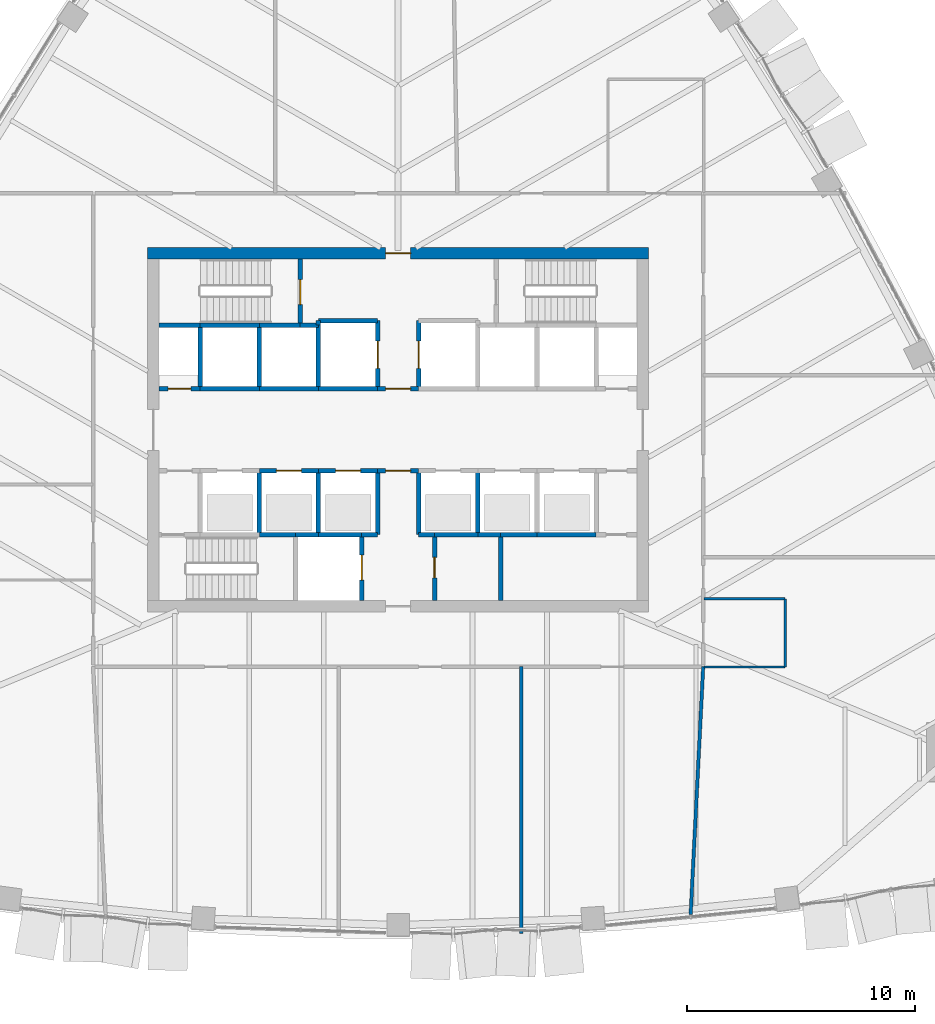
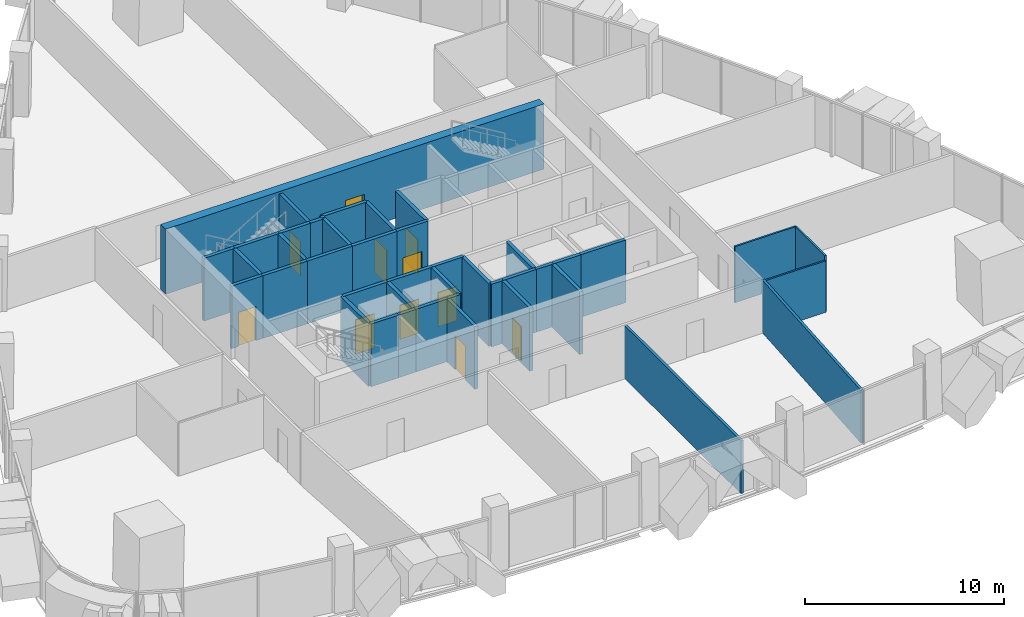
# One storey, part 11 of 17: 43 walls, 11 doors, 11 openings.
"""IFC4 building model written with IfcOpenShell, lengths in metres."""

from ifc_helpers import new_model, si_unit, direction, frame, frame_2d, origin, place, context, subcontext, project, spatial, rectangle, extrude, material, layer, layer_set, type_object, element, fill, save


model = new_model("IFC4")

# Units and contexts
model_context = context("Model", 3, precision=1e-05, world=origin(), true_north=direction((0.0, 1.0)))
body_context = subcontext(model_context, "Body", "Model", "MODEL_VIEW")
ifc_project = project(units=[si_unit("LENGTHUNIT", "METRE"), si_unit("AREAUNIT", "SQUARE_METRE"), si_unit("VOLUMEUNIT", "CUBIC_METRE"), si_unit("PLANEANGLEUNIT", "RADIAN"), si_unit("MASSUNIT", "GRAM", prefix="KILO")], contexts=[model_context])

# Site, building, storey
site_placement = place(None, origin())
site = spatial("IfcSite", under=ifc_project, at=site_placement, CompositionType="ELEMENT")
building_placement = place(site_placement, origin())
building = spatial("IfcBuilding", under=site, at=building_placement, Name="Sierra Prisma Convention Tower", CompositionType="ELEMENT")
storey_placement = place(building_placement, frame((0.0, 0.0, 145.800048828125)))
storey = spatial("IfcBuildingStorey", under=building, at=storey_placement, Name="L31", CompositionType="ELEMENT", Elevation=145.800048828125)

# Walls
ifc_material_1 = material(Name="Gypsum board partition", Category="gypsum")
ifc_layer_1 = layer(ifc_material_1, 0.10009765625)
ifc_layer_set_1 = layer_set([ifc_layer_1], Name="Bathroom partition 100")
wall_type_1 = type_object("IfcWallType", Name="Bathroom partition 100", PredefinedType="PARTITIONING", material=ifc_layer_set_1)
wall_1_placement = place(storey_placement, frame((13.429931640625, -7.419921875, 0.0), z_axis=(0.0, 0.0, 1.0), x_axis=(1.0, 0.0, 0.0)))
element("IfcWall", 1, at=wall_1_placement, inside=storey, type_object=wall_type_1, Name="Partition L31 bath 6", PredefinedType="PARTITIONING", context=body_context, shape_type="SweptSolid", body=[
    extrude(rectangle(XDim=3.570068359375, YDim=0.10009765625, at=frame_2d((1.78515625, 0.0))), origin(), (0.0, 0.0, 1.0), 3.449951171875),
])
wall_2_placement = place(storey_placement, frame((17.0, -7.419921875, 0.0), z_axis=(0.0, 0.0, 1.0), x_axis=(0.0, -1.0, 0.0)))
element("IfcWall", 2, at=wall_2_placement, inside=storey, type_object=wall_type_1, Name="Partition L31 bath 7", PredefinedType="PARTITIONING", context=body_context, shape_type="SweptSolid", body=[
    extrude(rectangle(XDim=3.0, YDim=0.10009765625, at=frame_2d((1.5, 0.0))), origin(), (0.0, 0.0, 1.0), 3.449951171875),
])
wall_3_placement = place(storey_placement, frame((17.0, -10.419921875, 0.0), z_axis=(0.0, 0.0, 1.0), x_axis=(-1.0, 0.0, 0.0)))
element("IfcWall", 3, at=wall_3_placement, inside=storey, type_object=wall_type_1, Name="Partition L31 bath 8", PredefinedType="PARTITIONING", context=body_context, shape_type="SweptSolid", body=[
    extrude(rectangle(XDim=3.570068359375, YDim=0.10009765625, at=frame_2d((1.78515625, 0.0))), origin(), (0.0, 0.0, 1.0), 3.166015625),
])

# Wall, opening, door
ifc_material_2 = material(Name="Concrete C30/37", Category="concrete")
ifc_layer_2 = layer(ifc_material_2, 0.199951171875)
ifc_layer_set_2 = layer_set([ifc_layer_2], Name="Core wall RC 200 C30/37")
wall_type_2 = type_object("IfcWallType", Name="Core wall RC 200 C30/37", PredefinedType="SOLIDWALL", material=ifc_layer_set_2)
wall_4_placement = place(storey_placement, frame((-8.699951171875, 1.800048828125, 0.0), z_axis=(0.0, 0.0, 1.0), x_axis=(-1.0, 0.0, 0.0)))
wall_4 = element("IfcWall", 4, at=wall_4_placement, inside=storey, type_object=wall_type_2, Name="Core wall L31 3", PredefinedType="SOLIDWALL", context=body_context, shape_type="SweptSolid", body=[
    extrude(rectangle(XDim=1.800048828125, YDim=0.199951171875, at=frame_2d((0.89990234375, 0.0))), origin(), (0.0, 0.0, 1.0), 3.849853515625),
])
opening_1_placement = place(wall_4_placement, frame((0.39990234375, 0.0, 0.0)))
opening_1 = element("IfcOpeningElement", 5, at=opening_1_placement, cuts=wall_4, Name="Opening L31-D013", PredefinedType="OPENING", context=body_context, shape_type="SweptSolid", body=[
    extrude(rectangle(XDim=1.0, YDim=2.10009765625, at=frame_2d((0.5, 1.050048828125))), frame((0.0, 0.10009765625, 0.0), z_axis=(0.0, -1.0, 0.0), x_axis=(1.0, 0.0, 0.0)), (0.0, 0.0, 1.0), 0.199951171875),
])
ifc_material_3 = material(Name="Steel fire door leaf", Category="steel")
door_type_1 = type_object("IfcDoorType", Name="Door 1000x2100 FD60S", OperationType="SINGLE_SWING_LEFT", PredefinedType="DOOR", material=ifc_material_3)
door_1_placement = place(opening_1_placement, origin())
door_1 = element("IfcDoor", 6, at=door_1_placement, inside=storey, type_object=door_type_1, Name="Door L31 27", OperationType="SINGLE_SWING_RIGHT", OverallHeight=2.10009765625, OverallWidth=1.0, PredefinedType="DOOR", context=body_context, shape_type="SweptSolid", body=[
    extrude(rectangle(XDim=1.0, YDim=2.10009765625, at=frame_2d((0.5, 1.050048828125))), frame((0.0, 0.02490234375, 0.0), z_axis=(0.0, -1.0, 0.0), x_axis=(1.0, 0.0, 0.0)), (0.0, 0.0, 1.0), 0.050048828125),
])
fill(opening_1, door_1)

# Walls
wall_5_placement = place(storey_placement, frame((-8.699951171875, 4.60009765625, 0.0), z_axis=(0.0, 0.0, 1.0), x_axis=(-1.0, 0.0, 0.0)))
element("IfcWall", 7, at=wall_5_placement, inside=storey, type_object=wall_type_2, Name="Core wall L31 4", PredefinedType="SOLIDWALL", context=body_context, shape_type="SweptSolid", body=[
    extrude(rectangle(XDim=1.800048828125, YDim=0.199951171875, at=frame_2d((0.89990234375, 0.0))), origin(), (0.0, 0.0, 1.0), 3.849853515625),
])
wall_6_placement = place(storey_placement, frame((-6.10009765625, 1.800048828125, 0.0), z_axis=(0.0, 0.0, 1.0), x_axis=(-1.0, 0.0, 0.0)))
element("IfcWall", 8, at=wall_6_placement, inside=storey, type_object=wall_type_2, Name="Core wall L31 8", PredefinedType="SOLIDWALL", context=body_context, shape_type="SweptSolid", body=[
    extrude(rectangle(XDim=2.599853515625, YDim=0.199951171875, at=frame_2d((1.2998046875, 0.0))), origin(), (0.0, 0.0, 1.0), 3.849853515625),
])
wall_7_placement = place(storey_placement, frame((-8.699951171875, 1.800048828125, 0.0), z_axis=(0.0, 0.0, 1.0), x_axis=(0.0, 1.0, 0.0)))
element("IfcWall", 9, at=wall_7_placement, inside=storey, type_object=wall_type_2, Name="Core wall L31 9", PredefinedType="SOLIDWALL", context=body_context, shape_type="SweptSolid", body=[
    extrude(rectangle(XDim=2.800048828125, YDim=0.199951171875, at=frame_2d((1.39990234375, 0.0))), origin(), (0.0, 0.0, 1.0), 3.849853515625),
])
wall_8_placement = place(storey_placement, frame((-6.10009765625, 4.60009765625, 0.0), z_axis=(0.0, 0.0, 1.0), x_axis=(-1.0, 0.0, 0.0)))
element("IfcWall", 10, at=wall_8_placement, inside=storey, type_object=wall_type_2, Name="Core wall L31 10", PredefinedType="SOLIDWALL", context=body_context, shape_type="SweptSolid", body=[
    extrude(rectangle(XDim=2.599853515625, YDim=0.199951171875, at=frame_2d((1.2998046875, 0.0))), origin(), (0.0, 0.0, 1.0), 3.849853515625),
])
wall_9_placement = place(storey_placement, frame((-6.10009765625, -4.60009765625, 0.0), z_axis=(0.0, 0.0, 1.0), x_axis=(1.0, 0.0, 0.0)))
element("IfcWall", 11, at=wall_9_placement, inside=storey, type_object=wall_type_2, Name="Core wall L31 11", PredefinedType="SOLIDWALL", context=body_context, shape_type="SweptSolid", body=[
    extrude(rectangle(XDim=1.60009765625, YDim=0.199951171875, at=frame_2d((0.800048828125, 0.0))), origin(), (0.0, 0.0, 1.0), 3.849853515625),
])
wall_10_placement = place(storey_placement, frame((-6.10009765625, -4.60009765625, 0.0), z_axis=(0.0, 0.0, 1.0), x_axis=(0.0, 1.0, 0.0)))
element("IfcWall", 12, at=wall_10_placement, inside=storey, type_object=wall_type_2, Name="Core wall L31 12", PredefinedType="SOLIDWALL", context=body_context, shape_type="SweptSolid", body=[
    extrude(rectangle(XDim=2.800048828125, YDim=0.199951171875, at=frame_2d((1.39990234375, 0.0))), origin(), (0.0, 0.0, 1.0), 3.849853515625),
])

# Wall, opening, door
wall_11_placement = place(storey_placement, frame((-6.10009765625, -1.800048828125, 0.0), z_axis=(0.0, 0.0, 1.0), x_axis=(1.0, 0.0, 0.0)))
wall_11 = element("IfcWall", 13, at=wall_11_placement, inside=storey, type_object=wall_type_2, Name="Core wall L31 13", PredefinedType="SOLIDWALL", context=body_context, shape_type="SweptSolid", body=[
    extrude(rectangle(XDim=2.60009765625, YDim=0.199951171875, at=frame_2d((1.300048828125, 0.0))), origin(), (0.0, 0.0, 1.0), 3.849853515625),
])
opening_2_placement = place(wall_11_placement, frame((0.75, 0.0, 0.0)))
opening_2 = element("IfcOpeningElement", 14, at=opening_2_placement, cuts=wall_11, Name="Opening L31-D002", PredefinedType="OPENING", context=body_context, shape_type="SweptSolid", body=[
    extrude(rectangle(XDim=1.10009765625, YDim=2.10009765625, at=frame_2d((0.550048828125, 1.050048828125))), frame((0.0, 0.10009765625, 0.0), z_axis=(0.0, -1.0, 0.0), x_axis=(1.0, 0.0, 0.0)), (0.0, 0.0, 1.0), 0.199951171875),
])
ifc_material_4 = material(Name="Steel fire door leaf", Category="steel")
door_type_2 = type_object("IfcDoorType", Name="Door 1100x2100 EI 90 sliding lift landing", OperationType="SLIDING_TO_LEFT", PredefinedType="DOOR", material=ifc_material_4)
door_2_placement = place(opening_2_placement, origin())
door_2 = element("IfcDoor", 15, at=door_2_placement, inside=storey, type_object=door_type_2, Name="Door L31 16", OperationType="SLIDING_TO_LEFT", OverallHeight=2.10009765625, OverallWidth=1.10009765625, PredefinedType="DOOR", context=body_context, shape_type="SweptSolid", body=[
    extrude(rectangle(XDim=1.10009765625, YDim=2.10009765625, at=frame_2d((0.550048828125, 1.050048828125))), frame((0.0, 0.02490234375, 0.0), z_axis=(0.0, -1.0, 0.0), x_axis=(1.0, 0.0, 0.0)), (0.0, 0.0, 1.0), 0.050048828125),
])
fill(opening_2, door_2)

# Walls
wall_12_placement = place(storey_placement, frame((-3.5, 1.800048828125, 0.0), z_axis=(0.0, 0.0, 1.0), x_axis=(-1.0, 0.0, 0.0)))
element("IfcWall", 16, at=wall_12_placement, inside=storey, type_object=wall_type_2, Name="Core wall L31 14", PredefinedType="SOLIDWALL", context=body_context, shape_type="SweptSolid", body=[
    extrude(rectangle(XDim=2.60009765625, YDim=0.199951171875, at=frame_2d((1.300048828125, 0.0))), origin(), (0.0, 0.0, 1.0), 3.849853515625),
])
wall_13_placement = place(storey_placement, frame((-6.10009765625, 1.800048828125, 0.0), z_axis=(0.0, 0.0, 1.0), x_axis=(0.0, 1.0, 0.0)))
element("IfcWall", 17, at=wall_13_placement, inside=storey, type_object=wall_type_2, Name="Core wall L31 15", PredefinedType="SOLIDWALL", context=body_context, shape_type="SweptSolid", body=[
    extrude(rectangle(XDim=2.800048828125, YDim=0.199951171875, at=frame_2d((1.39990234375, 0.0))), origin(), (0.0, 0.0, 1.0), 3.849853515625),
])
wall_14_placement = place(storey_placement, frame((-4.300048828125, 4.60009765625, 0.0), z_axis=(0.0, 0.0, 1.0), x_axis=(-1.0, 0.0, 0.0)))
element("IfcWall", 18, at=wall_14_placement, inside=storey, type_object=wall_type_2, Name="Core wall L31 16", PredefinedType="SOLIDWALL", context=body_context, shape_type="SweptSolid", body=[
    extrude(rectangle(XDim=1.800048828125, YDim=0.199951171875, at=frame_2d((0.89990234375, 0.0))), origin(), (0.0, 0.0, 1.0), 3.849853515625),
])
wall_15_placement = place(storey_placement, frame((-4.5, -4.60009765625, 0.0), z_axis=(0.0, 0.0, 1.0), x_axis=(1.0, 0.0, 0.0)))
element("IfcWall", 19, at=wall_15_placement, inside=storey, type_object=wall_type_2, Name="Core wall L31 18", PredefinedType="SOLIDWALL", context=body_context, shape_type="SweptSolid", body=[
    extrude(rectangle(XDim=1.0, YDim=0.199951171875, at=frame_2d((0.5, 0.0))), origin(), (0.0, 0.0, 1.0), 3.849853515625),
])
wall_16_placement = place(storey_placement, frame((-3.5, 4.60009765625, 0.0), z_axis=(0.0, 0.0, 1.0), x_axis=(-1.0, 0.0, 0.0)))
element("IfcWall", 20, at=wall_16_placement, inside=storey, type_object=wall_type_2, Name="Core wall L31 19", PredefinedType="SOLIDWALL", context=body_context, shape_type="SweptSolid", body=[
    extrude(rectangle(XDim=0.800048828125, YDim=0.199951171875, at=frame_2d((0.39990234375, 0.0))), origin(), (0.0, 0.0, 1.0), 3.849853515625),
])

# Wall, opening, door
wall_17_placement = place(storey_placement, frame((-4.300048828125, 4.60009765625, 0.0), z_axis=(0.0, 0.0, 1.0), x_axis=(0.0, 1.0, 0.0)))
wall_17 = element("IfcWall", 21, at=wall_17_placement, inside=storey, type_object=wall_type_2, Name="Core wall L31 20", PredefinedType="SOLIDWALL", context=body_context, shape_type="SweptSolid", body=[
    extrude(rectangle(XDim=2.89990234375, YDim=0.199951171875, at=frame_2d((1.449951171875, 0.0))), origin(), (0.0, 0.0, 1.0), 3.849853515625),
])
opening_3_placement = place(wall_17_placement, frame((0.89990234375, 0.0, 0.0)))
opening_3 = element("IfcOpeningElement", 22, at=opening_3_placement, cuts=wall_17, Name="Opening L31-D016", PredefinedType="OPENING", context=body_context, shape_type="SweptSolid", body=[
    extrude(rectangle(XDim=1.10009765625, YDim=2.10009765625, at=frame_2d((0.550048828125, 1.050048828125))), frame((0.0, 0.10009765625, 0.0), z_axis=(0.0, -1.0, 0.0), x_axis=(1.0, 0.0, 0.0)), (0.0, 0.0, 1.0), 0.199951171875),
])
ifc_material_5 = material(Name="Steel fire door leaf", Category="steel")
door_type_3 = type_object("IfcDoorType", Name="Door 1100x2100 FD90S", OperationType="SINGLE_SWING_LEFT", PredefinedType="DOOR", material=ifc_material_5)
door_3_placement = place(opening_3_placement, origin())
door_3 = element("IfcDoor", 23, at=door_3_placement, inside=storey, type_object=door_type_3, Name="Door L31 30", OperationType="SINGLE_SWING_RIGHT", OverallHeight=2.10009765625, OverallWidth=1.10009765625, PredefinedType="DOOR", context=body_context, shape_type="SweptSolid", body=[
    extrude(rectangle(XDim=1.10009765625, YDim=2.10009765625, at=frame_2d((0.550048828125, 1.050048828125))), frame((0.0, 0.02490234375, 0.0), z_axis=(0.0, -1.0, 0.0), x_axis=(1.0, 0.0, 0.0)), (0.0, 0.0, 1.0), 0.050048828125),
])
fill(opening_3, door_3)

# Walls
wall_18_placement = place(storey_placement, frame((-3.5, -4.60009765625, 0.0), z_axis=(0.0, 0.0, 1.0), x_axis=(1.0, 0.0, 0.0)))
element("IfcWall", 24, at=wall_18_placement, inside=storey, type_object=wall_type_2, Name="Core wall L31 21", PredefinedType="SOLIDWALL", context=body_context, shape_type="SweptSolid", body=[
    extrude(rectangle(XDim=1.89990234375, YDim=0.199951171875, at=frame_2d((0.949951171875, 0.0))), origin(), (0.0, 0.0, 1.0), 3.849853515625),
])
wall_19_placement = place(storey_placement, frame((-3.5, -4.60009765625, 0.0), z_axis=(0.0, 0.0, 1.0), x_axis=(0.0, 1.0, 0.0)))
element("IfcWall", 25, at=wall_19_placement, inside=storey, type_object=wall_type_2, Name="Core wall L31 22", PredefinedType="SOLIDWALL", context=body_context, shape_type="SweptSolid", body=[
    extrude(rectangle(XDim=2.800048828125, YDim=0.199951171875, at=frame_2d((1.39990234375, 0.0))), origin(), (0.0, 0.0, 1.0), 3.849853515625),
])

# Wall, opening, door
wall_20_placement = place(storey_placement, frame((-3.5, -1.800048828125, 0.0), z_axis=(0.0, 0.0, 1.0), x_axis=(1.0, 0.0, 0.0)))
wall_20 = element("IfcWall", 26, at=wall_20_placement, inside=storey, type_object=wall_type_2, Name="Core wall L31 23", PredefinedType="SOLIDWALL", context=body_context, shape_type="SweptSolid", body=[
    extrude(rectangle(XDim=2.60009765625, YDim=0.199951171875, at=frame_2d((1.300048828125, 0.0))), origin(), (0.0, 0.0, 1.0), 3.849853515625),
])
opening_4_placement = place(wall_20_placement, frame((0.75, 0.0, 0.0)))
opening_4 = element("IfcOpeningElement", 27, at=opening_4_placement, cuts=wall_20, Name="Opening L31-D003", PredefinedType="OPENING", context=body_context, shape_type="SweptSolid", body=[
    extrude(rectangle(XDim=1.10009765625, YDim=2.10009765625, at=frame_2d((0.550048828125, 1.050048828125))), frame((0.0, 0.10009765625, 0.0), z_axis=(0.0, -1.0, 0.0), x_axis=(1.0, 0.0, 0.0)), (0.0, 0.0, 1.0), 0.199951171875),
])
door_4_placement = place(opening_4_placement, origin())
door_4 = element("IfcDoor", 28, at=door_4_placement, inside=storey, type_object=door_type_2, Name="Door L31 17", OperationType="SLIDING_TO_RIGHT", OverallHeight=2.10009765625, OverallWidth=1.10009765625, PredefinedType="DOOR", context=body_context, shape_type="SweptSolid", body=[
    extrude(rectangle(XDim=1.10009765625, YDim=2.10009765625, at=frame_2d((0.550048828125, 1.050048828125))), frame((0.0, 0.02490234375, 0.0), z_axis=(0.0, -1.0, 0.0), x_axis=(1.0, 0.0, 0.0)), (0.0, 0.0, 1.0), 0.050048828125),
])
fill(opening_4, door_4)

# Walls
wall_21_placement = place(storey_placement, frame((-0.89990234375, 1.800048828125, 0.0), z_axis=(0.0, 0.0, 1.0), x_axis=(-1.0, 0.0, 0.0)))
element("IfcWall", 29, at=wall_21_placement, inside=storey, type_object=wall_type_2, Name="Core wall L31 24", PredefinedType="SOLIDWALL", context=body_context, shape_type="SweptSolid", body=[
    extrude(rectangle(XDim=2.60009765625, YDim=0.199951171875, at=frame_2d((1.300048828125, 0.0))), origin(), (0.0, 0.0, 1.0), 3.849853515625),
])
wall_22_placement = place(storey_placement, frame((-3.5, 4.60009765625, 0.0), z_axis=(0.0, 0.0, 1.0), x_axis=(0.0, -1.0, 0.0)))
element("IfcWall", 30, at=wall_22_placement, inside=storey, type_object=wall_type_2, Name="Core wall L31 25", PredefinedType="SOLIDWALL", context=body_context, shape_type="SweptSolid", body=[
    extrude(rectangle(XDim=2.800048828125, YDim=0.199951171875, at=frame_2d((1.39990234375, 0.0))), origin(), (0.0, 0.0, 1.0), 3.849853515625),
])

# Wall, opening, door
wall_23_placement = place(storey_placement, frame((-0.89990234375, 1.800048828125, 0.0), z_axis=(0.0, 0.0, 1.0), x_axis=(0.0, 1.0, 0.0)))
wall_23 = element("IfcWall", 31, at=wall_23_placement, inside=storey, type_object=wall_type_2, Name="Core wall L31 26", PredefinedType="SOLIDWALL", context=body_context, shape_type="SweptSolid", body=[
    extrude(rectangle(XDim=3.0, YDim=0.199951171875, at=frame_2d((1.5, 0.0))), origin(), (0.0, 0.0, 1.0), 3.849853515625),
])
opening_5_placement = place(wall_23_placement, frame((0.89990234375, 0.0, 0.0)))
opening_5 = element("IfcOpeningElement", 32, at=opening_5_placement, cuts=wall_23, Name="Opening L31-D007", PredefinedType="OPENING", context=body_context, shape_type="SweptSolid", body=[
    extrude(rectangle(XDim=1.199951171875, YDim=2.10009765625, at=frame_2d((0.60009765625, 1.050048828125))), frame((0.0, 0.10009765625, 0.0), z_axis=(0.0, -1.0, 0.0), x_axis=(1.0, 0.0, 0.0)), (0.0, 0.0, 1.0), 0.199951171875),
])
ifc_material_6 = material(Name="Steel fire door leaf", Category="steel")
door_type_4 = type_object("IfcDoorType", Name="Door 1200x2100 EI 90 sliding lift landing", OperationType="SLIDING_TO_LEFT", PredefinedType="DOOR", material=ifc_material_6)
door_5_placement = place(opening_5_placement, origin())
door_5 = element("IfcDoor", 33, at=door_5_placement, inside=storey, type_object=door_type_4, Name="Door L31 21", OperationType="SLIDING_TO_RIGHT", OverallHeight=2.10009765625, OverallWidth=1.199951171875, PredefinedType="DOOR", context=body_context, shape_type="SweptSolid", body=[
    extrude(rectangle(XDim=1.199951171875, YDim=2.10009765625, at=frame_2d((0.60009765625, 1.050048828125))), frame((0.0, 0.02490234375, 0.0), z_axis=(0.0, -1.0, 0.0), x_axis=(1.0, 0.0, 0.0)), (0.0, 0.0, 1.0), 0.050048828125),
])
fill(opening_5, door_5)

# Walls
wall_24_placement = place(storey_placement, frame((-0.89990234375, 4.800048828125, 0.0), z_axis=(0.0, 0.0, 1.0), x_axis=(-1.0, 0.0, 0.0)))
element("IfcWall", 34, at=wall_24_placement, inside=storey, type_object=wall_type_2, Name="Core wall L31 27", PredefinedType="SOLIDWALL", context=body_context, shape_type="SweptSolid", body=[
    extrude(rectangle(XDim=2.60009765625, YDim=0.199951171875, at=frame_2d((1.300048828125, 0.0))), origin(), (0.0, 0.0, 1.0), 3.849853515625),
])
wall_25_placement = place(storey_placement, frame((-3.5, 4.800048828125, 0.0), z_axis=(0.0, 0.0, 1.0), x_axis=(0.0, -1.0, 0.0)))
element("IfcWall", 35, at=wall_25_placement, inside=storey, type_object=wall_type_2, Name="Core wall L31 28", PredefinedType="SOLIDWALL", context=body_context, shape_type="SweptSolid", body=[
    extrude(rectangle(XDim=0.199951171875, YDim=0.199951171875, at=frame_2d((0.10009765625, 0.0))), origin(), (0.0, 0.0, 1.0), 3.849853515625),
])

# Wall, opening, door
wall_26_placement = place(storey_placement, frame((-1.60009765625, -7.5, 0.0), z_axis=(0.0, 0.0, 1.0), x_axis=(0.0, 1.0, 0.0)))
wall_26 = element("IfcWall", 36, at=wall_26_placement, inside=storey, type_object=wall_type_2, Name="Core wall L31 29", PredefinedType="SOLIDWALL", context=body_context, shape_type="SweptSolid", body=[
    extrude(rectangle(XDim=2.89990234375, YDim=0.199951171875, at=frame_2d((1.449951171875, 0.0))), origin(), (0.0, 0.0, 1.0), 3.849853515625),
])
opening_6_placement = place(wall_26_placement, frame((0.89990234375, 0.0, 0.0)))
opening_6 = element("IfcOpeningElement", 37, at=opening_6_placement, cuts=wall_26, Name="Opening L31-D009", PredefinedType="OPENING", context=body_context, shape_type="SweptSolid", body=[
    extrude(rectangle(XDim=1.10009765625, YDim=2.10009765625, at=frame_2d((0.550048828125, 1.050048828125))), frame((0.0, 0.10009765625, 0.0), z_axis=(0.0, -1.0, 0.0), x_axis=(1.0, 0.0, 0.0)), (0.0, 0.0, 1.0), 0.199951171875),
])
door_6_placement = place(opening_6_placement, origin())
door_6 = element("IfcDoor", 38, at=door_6_placement, inside=storey, type_object=door_type_2, Name="Door L31 23", OperationType="SLIDING_TO_LEFT", OverallHeight=2.10009765625, OverallWidth=1.10009765625, PredefinedType="DOOR", context=body_context, shape_type="SweptSolid", body=[
    extrude(rectangle(XDim=1.10009765625, YDim=2.10009765625, at=frame_2d((0.550048828125, 1.050048828125))), frame((0.0, 0.02490234375, 0.0), z_axis=(0.0, -1.0, 0.0), x_axis=(1.0, 0.0, 0.0)), (0.0, 0.0, 1.0), 0.050048828125),
])
fill(opening_6, door_6)

# Walls
wall_27_placement = place(storey_placement, frame((-1.60009765625, -4.60009765625, 0.0), z_axis=(0.0, 0.0, 1.0), x_axis=(1.0, 0.0, 0.0)))
element("IfcWall", 39, at=wall_27_placement, inside=storey, type_object=wall_type_2, Name="Core wall L31 30", PredefinedType="SOLIDWALL", context=body_context, shape_type="SweptSolid", body=[
    extrude(rectangle(XDim=0.7001953125, YDim=0.199951171875, at=frame_2d((0.35009765625, 0.0))), origin(), (0.0, 0.0, 1.0), 3.849853515625),
])
wall_28_placement = place(storey_placement, frame((-0.89990234375, -4.60009765625, 0.0), z_axis=(0.0, 0.0, 1.0), x_axis=(0.0, 1.0, 0.0)))
element("IfcWall", 40, at=wall_28_placement, inside=storey, type_object=wall_type_2, Name="Core wall L31 31", PredefinedType="SOLIDWALL", context=body_context, shape_type="SweptSolid", body=[
    extrude(rectangle(XDim=2.800048828125, YDim=0.199951171875, at=frame_2d((1.39990234375, 0.0))), origin(), (0.0, 0.0, 1.0), 3.849853515625),
])

# Wall, opening, door
wall_29_placement = place(storey_placement, frame((-0.89990234375, -1.800048828125, 0.0), z_axis=(0.0, 0.0, 1.0), x_axis=(1.0, 0.0, 0.0)))
wall_29 = element("IfcWall", 41, at=wall_29_placement, inside=storey, type_object=wall_type_2, Name="Core wall L31 32", PredefinedType="SOLIDWALL", context=body_context, shape_type="SweptSolid", body=[
    extrude(rectangle(XDim=1.7998046875, YDim=0.199951171875, at=frame_2d((0.89990234375, 0.0))), origin(), (0.0, 0.0, 1.0), 3.849853515625),
])
opening_7_placement = place(wall_29_placement, frame((0.35009765625, 0.0, 0.0)))
opening_7 = element("IfcOpeningElement", 42, at=opening_7_placement, cuts=wall_29, Name="Opening L31-D012", PredefinedType="OPENING", context=body_context, shape_type="SweptSolid", body=[
    extrude(rectangle(XDim=1.10009765625, YDim=2.10009765625, at=frame_2d((0.550048828125, 1.050048828125))), frame((0.0, 0.10009765625, 0.0), z_axis=(0.0, -1.0, 0.0), x_axis=(1.0, 0.0, 0.0)), (0.0, 0.0, 1.0), 0.199951171875),
])
ifc_material_7 = material(Name="Steel fire door leaf", Category="steel")
door_type_5 = type_object("IfcDoorType", Name="Door 1100x2100 FD30S", OperationType="SINGLE_SWING_LEFT", PredefinedType="DOOR", material=ifc_material_7)
door_7_placement = place(opening_7_placement, origin())
door_7 = element("IfcDoor", 43, at=door_7_placement, inside=storey, type_object=door_type_5, Name="Door L31 26", OperationType="SINGLE_SWING_LEFT", OverallHeight=2.10009765625, OverallWidth=1.10009765625, PredefinedType="DOOR", context=body_context, shape_type="SweptSolid", body=[
    extrude(rectangle(XDim=1.10009765625, YDim=2.10009765625, at=frame_2d((0.550048828125, 1.050048828125))), frame((0.0, 0.02490234375, 0.0), z_axis=(0.0, -1.0, 0.0), x_axis=(1.0, 0.0, 0.0)), (0.0, 0.0, 1.0), 0.050048828125),
])
fill(opening_7, door_7)

wall_30_placement = place(storey_placement, frame((0.89990234375, 1.800048828125, 0.0), z_axis=(0.0, 0.0, 1.0), x_axis=(-1.0, 0.0, 0.0)))
wall_30 = element("IfcWall", 44, at=wall_30_placement, inside=storey, type_object=wall_type_2, Name="Core wall L31 33", PredefinedType="SOLIDWALL", context=body_context, shape_type="SweptSolid", body=[
    extrude(rectangle(XDim=1.7998046875, YDim=0.199951171875, at=frame_2d((0.89990234375, 0.0))), origin(), (0.0, 0.0, 1.0), 3.849853515625),
])
opening_8_placement = place(wall_30_placement, frame((0.35009765625, 0.0, 0.0)))
opening_8 = element("IfcOpeningElement", 45, at=opening_8_placement, cuts=wall_30, Name="Opening L31-D011", PredefinedType="OPENING", context=body_context, shape_type="SweptSolid", body=[
    extrude(rectangle(XDim=1.10009765625, YDim=2.10009765625, at=frame_2d((0.550048828125, 1.050048828125))), frame((0.0, 0.10009765625, 0.0), z_axis=(0.0, -1.0, 0.0), x_axis=(1.0, 0.0, 0.0)), (0.0, 0.0, 1.0), 0.199951171875),
])
ifc_material_8 = material(Name="Steel fire door leaf", Category="steel")
door_type_6 = type_object("IfcDoorType", Name="Door 1100x2100 FD60S", OperationType="SINGLE_SWING_LEFT", PredefinedType="DOOR", material=ifc_material_8)
door_8_placement = place(opening_8_placement, origin())
door_8 = element("IfcDoor", 46, at=door_8_placement, inside=storey, type_object=door_type_6, Name="Door L31 25", OperationType="SINGLE_SWING_RIGHT", OverallHeight=2.10009765625, OverallWidth=1.10009765625, PredefinedType="DOOR", context=body_context, shape_type="SweptSolid", body=[
    extrude(rectangle(XDim=1.10009765625, YDim=2.10009765625, at=frame_2d((0.550048828125, 1.050048828125))), frame((0.0, 0.02490234375, 0.0), z_axis=(0.0, -1.0, 0.0), x_axis=(1.0, 0.0, 0.0)), (0.0, 0.0, 1.0), 0.050048828125),
])
fill(opening_8, door_8)

# Walls
wall_31_placement = place(storey_placement, frame((0.89990234375, -1.800048828125, 0.0), z_axis=(0.0, 0.0, 1.0), x_axis=(0.0, -1.0, 0.0)))
element("IfcWall", 47, at=wall_31_placement, inside=storey, type_object=wall_type_2, Name="Core wall L31 35", PredefinedType="SOLIDWALL", context=body_context, shape_type="SweptSolid", body=[
    extrude(rectangle(XDim=2.800048828125, YDim=0.199951171875, at=frame_2d((1.39990234375, 0.0))), origin(), (0.0, 0.0, 1.0), 3.849853515625),
])
wall_32_placement = place(storey_placement, frame((0.89990234375, -4.60009765625, 0.0), z_axis=(0.0, 0.0, 1.0), x_axis=(1.0, 0.0, 0.0)))
element("IfcWall", 48, at=wall_32_placement, inside=storey, type_object=wall_type_2, Name="Core wall L31 36", PredefinedType="SOLIDWALL", context=body_context, shape_type="SweptSolid", body=[
    extrude(rectangle(XDim=0.7001953125, YDim=0.199951171875, at=frame_2d((0.35009765625, 0.0))), origin(), (0.0, 0.0, 1.0), 3.849853515625),
])

# Wall, opening, door
wall_33_placement = place(storey_placement, frame((0.89990234375, 4.800048828125, 0.0), z_axis=(0.0, 0.0, 1.0), x_axis=(0.0, -1.0, 0.0)))
wall_33 = element("IfcWall", 49, at=wall_33_placement, inside=storey, type_object=wall_type_2, Name="Core wall L31 40", PredefinedType="SOLIDWALL", context=body_context, shape_type="SweptSolid", body=[
    extrude(rectangle(XDim=3.0, YDim=0.199951171875, at=frame_2d((1.5, 0.0))), origin(), (0.0, 0.0, 1.0), 3.849853515625),
])
opening_9_placement = place(wall_33_placement, frame((0.89990234375, 0.0, 0.0)))
opening_9 = element("IfcOpeningElement", 50, at=opening_9_placement, cuts=wall_33, Name="Opening L31-D008", PredefinedType="OPENING", context=body_context, shape_type="SweptSolid", body=[
    extrude(rectangle(XDim=1.199951171875, YDim=2.10009765625, at=frame_2d((0.60009765625, 1.050048828125))), frame((0.0, 0.10009765625, 0.0), z_axis=(0.0, -1.0, 0.0), x_axis=(1.0, 0.0, 0.0)), (0.0, 0.0, 1.0), 0.199951171875),
])
door_9_placement = place(opening_9_placement, origin())
door_9 = element("IfcDoor", 51, at=door_9_placement, inside=storey, type_object=door_type_4, Name="Door L31 22", OperationType="SLIDING_TO_LEFT", OverallHeight=2.10009765625, OverallWidth=1.199951171875, PredefinedType="DOOR", context=body_context, shape_type="SweptSolid", body=[
    extrude(rectangle(XDim=1.199951171875, YDim=2.10009765625, at=frame_2d((0.60009765625, 1.050048828125))), frame((0.0, 0.02490234375, 0.0), z_axis=(0.0, -1.0, 0.0), x_axis=(1.0, 0.0, 0.0)), (0.0, 0.0, 1.0), 0.050048828125),
])
fill(opening_9, door_9)

wall_34_placement = place(storey_placement, frame((1.60009765625, -4.60009765625, 0.0), z_axis=(0.0, 0.0, 1.0), x_axis=(0.0, -1.0, 0.0)))
wall_34 = element("IfcWall", 52, at=wall_34_placement, inside=storey, type_object=wall_type_2, Name="Core wall L31 41", PredefinedType="SOLIDWALL", context=body_context, shape_type="SweptSolid", body=[
    extrude(rectangle(XDim=2.89990234375, YDim=0.199951171875, at=frame_2d((1.449951171875, 0.0))), origin(), (0.0, 0.0, 1.0), 3.849853515625),
])
opening_10_placement = place(wall_34_placement, frame((1.0, 0.0, 0.0)))
opening_10 = element("IfcOpeningElement", 53, at=opening_10_placement, cuts=wall_34, Name="Opening L31-D020", PredefinedType="OPENING", context=body_context, shape_type="SweptSolid", body=[
    extrude(rectangle(XDim=0.89990234375, YDim=2.10009765625, at=frame_2d((0.449951171875, 1.050048828125))), frame((0.0, 0.10009765625, 0.0), z_axis=(0.0, -1.0, 0.0), x_axis=(1.0, 0.0, 0.0)), (0.0, 0.0, 1.0), 0.199951171875),
])
ifc_material_9 = material(Name="Steel fire door leaf", Category="steel")
door_type_7 = type_object("IfcDoorType", Name="Door 900x2100 FD30S", OperationType="SINGLE_SWING_LEFT", PredefinedType="DOOR", material=ifc_material_9)
door_10_placement = place(opening_10_placement, origin())
door_10 = element("IfcDoor", 54, at=door_10_placement, inside=storey, type_object=door_type_7, Name="Door L31 34", OperationType="SINGLE_SWING_LEFT", OverallHeight=2.10009765625, OverallWidth=0.89990234375, PredefinedType="DOOR", context=body_context, shape_type="SweptSolid", body=[
    extrude(rectangle(XDim=0.89990234375, YDim=2.10009765625, at=frame_2d((0.449951171875, 1.050048828125))), frame((0.0, 0.02490234375, 0.0), z_axis=(0.0, -1.0, 0.0), x_axis=(1.0, 0.0, 0.0)), (0.0, 0.0, 1.0), 0.050048828125),
])
fill(opening_10, door_10)

# Walls
wall_35_placement = place(storey_placement, frame((3.5, -4.60009765625, 0.0), z_axis=(0.0, 0.0, 1.0), x_axis=(-1.0, 0.0, 0.0)))
element("IfcWall", 55, at=wall_35_placement, inside=storey, type_object=wall_type_2, Name="Core wall L31 42", PredefinedType="SOLIDWALL", context=body_context, shape_type="SweptSolid", body=[
    extrude(rectangle(XDim=1.89990234375, YDim=0.199951171875, at=frame_2d((0.949951171875, 0.0))), origin(), (0.0, 0.0, 1.0), 3.849853515625),
])
wall_36_placement = place(storey_placement, frame((4.5, -4.60009765625, 0.0), z_axis=(0.0, 0.0, 1.0), x_axis=(-1.0, 0.0, 0.0)))
element("IfcWall", 56, at=wall_36_placement, inside=storey, type_object=wall_type_2, Name="Core wall L31 43", PredefinedType="SOLIDWALL", context=body_context, shape_type="SweptSolid", body=[
    extrude(rectangle(XDim=1.0, YDim=0.199951171875, at=frame_2d((0.5, 0.0))), origin(), (0.0, 0.0, 1.0), 3.849853515625),
])
wall_37_placement = place(storey_placement, frame((3.5, -4.60009765625, 0.0), z_axis=(0.0, 0.0, 1.0), x_axis=(0.0, 1.0, 0.0)))
element("IfcWall", 57, at=wall_37_placement, inside=storey, type_object=wall_type_2, Name="Core wall L31 44", PredefinedType="SOLIDWALL", context=body_context, shape_type="SweptSolid", body=[
    extrude(rectangle(XDim=2.800048828125, YDim=0.199951171875, at=frame_2d((1.39990234375, 0.0))), origin(), (0.0, 0.0, 1.0), 3.849853515625),
])
wall_38_placement = place(storey_placement, frame((4.5, -4.60009765625, 0.0), z_axis=(0.0, 0.0, 1.0), x_axis=(0.0, -1.0, 0.0)))
element("IfcWall", 58, at=wall_38_placement, inside=storey, type_object=wall_type_2, Name="Core wall L31 51", PredefinedType="SOLIDWALL", context=body_context, shape_type="SweptSolid", body=[
    extrude(rectangle(XDim=2.89990234375, YDim=0.199951171875, at=frame_2d((1.449951171875, 0.0))), origin(), (0.0, 0.0, 1.0), 3.849853515625),
])
wall_39_placement = place(storey_placement, frame((6.10009765625, -4.60009765625, 0.0), z_axis=(0.0, 0.0, 1.0), x_axis=(-1.0, 0.0, 0.0)))
element("IfcWall", 59, at=wall_39_placement, inside=storey, type_object=wall_type_2, Name="Core wall L31 52", PredefinedType="SOLIDWALL", context=body_context, shape_type="SweptSolid", body=[
    extrude(rectangle(XDim=1.60009765625, YDim=0.199951171875, at=frame_2d((0.800048828125, 0.0))), origin(), (0.0, 0.0, 1.0), 3.849853515625),
])
wall_40_placement = place(storey_placement, frame((8.699951171875, -4.60009765625, 0.0), z_axis=(0.0, 0.0, 1.0), x_axis=(-1.0, 0.0, 0.0)))
element("IfcWall", 60, at=wall_40_placement, inside=storey, type_object=wall_type_2, Name="Core wall L31 53", PredefinedType="SOLIDWALL", context=body_context, shape_type="SweptSolid", body=[
    extrude(rectangle(XDim=2.599853515625, YDim=0.199951171875, at=frame_2d((1.2998046875, 0.0))), origin(), (0.0, 0.0, 1.0), 3.849853515625),
])

# Wall, opening, door
ifc_material_10 = material(Name="Concrete C60/75", Category="concrete")
ifc_layer_3 = layer(ifc_material_10, 0.5)
ifc_layer_set_3 = layer_set([ifc_layer_3], Name="Core wall RC 500 C60/75")
wall_type_3 = type_object("IfcWallType", Name="Core wall RC 500 C60/75", PredefinedType="SHEAR", material=ifc_layer_set_3)
wall_41_placement = place(storey_placement, frame((-11.0, 7.75, 0.0), z_axis=(0.0, 0.0, 1.0), x_axis=(1.0, 0.0, 0.0)))
wall_41 = element("IfcWall", 61, at=wall_41_placement, inside=storey, type_object=wall_type_3, Name="Core wall N L31", PredefinedType="SHEAR", context=body_context, shape_type="SweptSolid", body=[
    extrude(rectangle(XDim=22.0, YDim=0.5, at=frame_2d((11.0, 0.0))), origin(), (0.0, 0.0, 1.0), 4.0),
])
opening_11_placement = place(wall_41_placement, frame((10.449951171875, 0.0, 0.0)))
opening_11 = element("IfcOpeningElement", 62, at=opening_11_placement, cuts=wall_41, Name="Opening L31-D036", PredefinedType="OPENING", context=body_context, shape_type="SweptSolid", body=[
    extrude(rectangle(XDim=1.10009765625, YDim=2.10009765625, at=frame_2d((0.550048828125, 1.050048828125))), frame((0.0, 0.25, 0.0), z_axis=(0.0, -1.0, 0.0), x_axis=(1.0, 0.0, 0.0)), (0.0, 0.0, 1.0), 0.5),
])
door_11_placement = place(opening_11_placement, origin())
door_11 = element("IfcDoor", 63, at=door_11_placement, inside=storey, type_object=door_type_6, Name="Door L31 37", OperationType="SINGLE_SWING_RIGHT", OverallHeight=2.10009765625, OverallWidth=1.10009765625, PredefinedType="DOOR", context=body_context, shape_type="SweptSolid", body=[
    extrude(rectangle(XDim=1.10009765625, YDim=2.10009765625, at=frame_2d((0.550048828125, 1.050048828125))), frame((0.0, 0.02490234375, 0.0), z_axis=(0.0, -1.0, 0.0), x_axis=(1.0, 0.0, 0.0)), (0.0, 0.0, 1.0), 0.050048828125),
])
fill(opening_11, door_11)

# Walls
ifc_material_11 = material(Name="Gypsum board partition", Category="gypsum")
ifc_layer_4 = layer(ifc_material_11, 0.14990234375)
ifc_layer_set_4 = layer_set([ifc_layer_4], Name="Party wall 150 gypsum")
wall_type_4 = type_object("IfcWallType", Name="Party wall 150 gypsum", PredefinedType="PARTITIONING", material=ifc_layer_set_4)
wall_42_placement = place(storey_placement, frame((5.39990234375, -10.39990234375, 0.0), z_axis=(0.0, 0.0, 1.0), x_axis=(0.0, -1.0, 0.0)))
element("IfcWall", 64, at=wall_42_placement, inside=storey, type_object=wall_type_4, Name="Partition L31 party 7", PredefinedType="PARTITIONING", context=body_context, shape_type="SweptSolid", body=[
    extrude(rectangle(XDim=11.720458984375, YDim=0.14990234375, at=frame_2d((5.8603515625, 0.0))), origin(), (0.0, 0.0, 1.0), 3.23388671875),
])
wall_43_placement = place(storey_placement, frame((13.39990234375, -10.39990234375, 0.0), z_axis=(0.0, 0.0, 1.0), x_axis=(-0.0505395773, -0.998722058997, 0.0)))
element("IfcWall", 65, at=wall_43_placement, inside=storey, type_object=wall_type_4, Name="Partition L31 party 8", PredefinedType="PARTITIONING", context=body_context, shape_type="SweptSolid", body=[
    extrude(rectangle(XDim=10.90283203125, YDim=0.14990234375, at=frame_2d((5.451416015625, 0.0))), origin(), (0.0, 0.0, 1.0), 3.23388671875),
])

save(model, "model.ifc")
